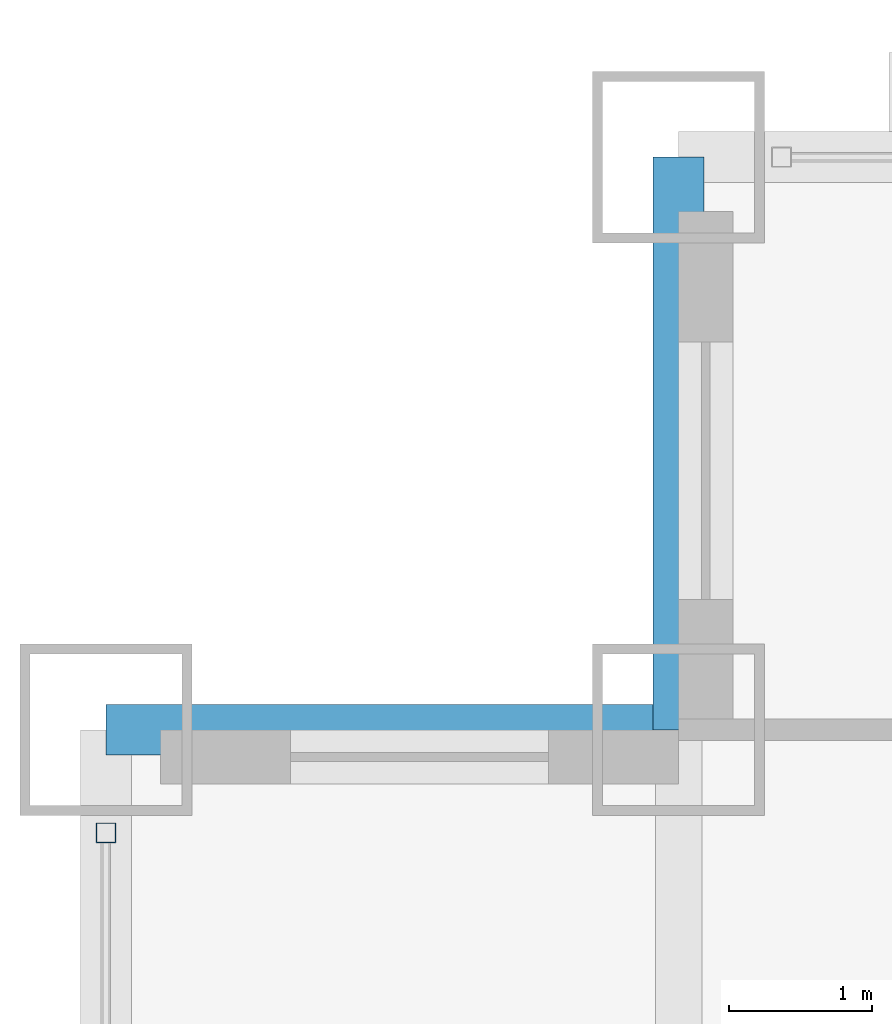
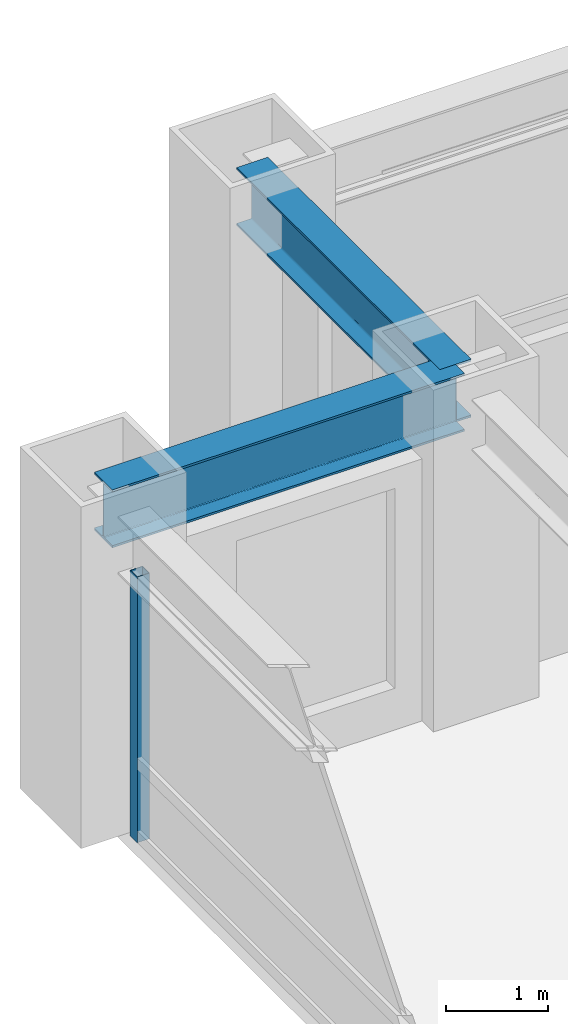
# One storey, part 10 of 32: 2 beams, 1 member, 1 element without a shape of its own.
"""IFC4 building model written with IfcOpenShell, lengths in metres."""

from ifc_helpers import new_model, si_unit, direction, frame, origin, origin_2d, place, context, subcontext, project, spatial, hollow_rectangle, i_section, extrude, source, transform, mapped, material, material_profile, profile_set, type_object, element, aggregate, save


model = new_model("IFC4")

# Units and contexts
model_context = context("Model", 3, precision=1e-05, world=origin(), true_north=direction((0.0, 1.0)))
body_context = subcontext(model_context, "Body", "Model", "MODEL_VIEW")
ifc_project = project(units=[si_unit("LENGTHUNIT", "METRE"), si_unit("AREAUNIT", "SQUARE_METRE"), si_unit("VOLUMEUNIT", "CUBIC_METRE"), si_unit("PLANEANGLEUNIT", "RADIAN"), si_unit("MASSUNIT", "GRAM", prefix="KILO")], contexts=[model_context])

# Site, building, storey
site_placement = place(None, origin())
site = spatial("IfcSite", under=ifc_project, at=site_placement, CompositionType="ELEMENT")
building_placement = place(site_placement, origin())
building = spatial("IfcBuilding", under=site, at=building_placement, Name="Khorayat Bourse Tower", CompositionType="ELEMENT")
storey_placement = place(building_placement, frame((0.0, 0.0, 91.39990234375)))
storey = spatial("IfcBuildingStorey", under=building, at=storey_placement, Name="L20", CompositionType="ELEMENT", Elevation=91.39990234375)

# Beams
ifc_material_1 = material(Name="Steel ASTM A992 Grade 50", Category="steel")
ifc_material_profile_1 = material_profile(ifc_material_1, i_section(OverallWidth=0.35498046875, OverallDepth=0.695068359375, WebThickness=0.015380859375, FlangeThickness=0.02490234375, FilletRadius=0.01806640625, at=origin_2d()), Name="W690X217")
ifc_profile_set_1 = profile_set([ifc_material_profile_1], Name="Steel ASTM A992 Grade 50")
beam_type = type_object("IfcBeamType", Name="BM-SPAN-690", PredefinedType="SPANDREL", material=ifc_profile_set_1)
shared_shape_1 = source(origin(), body_context, "Body", "SweptSolid", [
    extrude(i_section(OverallWidth=0.35498046875, OverallDepth=0.695068359375, WebThickness=0.015380859375, FlangeThickness=0.02490234375, FilletRadius=0.01806640625, at=origin_2d()), origin(), (0.0, 0.0, 1.0), 4.0),
])
for number, where, z_axis, x_axis, name in (
    (1, (-28.0, 28.0, 3.49267578125), (0.0, 1.0, 0.0), (-1.0, 0.0, 0.0), "L20 BM-SPAN-690 BM-L20-SPN-052"),
    (2, (-32.0, 28.0, 3.49267578125), (1.0, 0.0, 0.0), (0.0, 1.0, 0.0), "L20 BM-SPAN-690 BM-L20-SPN-053"),
):
    element("IfcBeam", number, at=place(storey_placement, frame(where, z_axis=z_axis, x_axis=x_axis)), inside=storey, type_object=beam_type, Name=name, PredefinedType="SPANDREL", context=body_context, shape_type="MappedRepresentation", body=[
        mapped(shared_shape_1, transform((0.0, 0.0, 0.0), scale=1.0)),
    ])

# Curtain wall, member
ifc_material_2 = material(Name="Aluminium EN AW-6063 T6", Category="aluminium")
curtain_wall_type = type_object("IfcCurtainWallType", Name="CW-SYS-02", PredefinedType="NOTDEFINED", material=ifc_material_2)
curtain_wall_placement = place(storey_placement, origin())
curtain_wall = element("IfcCurtainWall", 3, at=curtain_wall_placement, inside=storey, type_object=curtain_wall_type, Name="L20 Curtain Wall CW-L20-W1", PredefinedType="NOTDEFINED")
ifc_material_profile_2 = material_profile(ifc_material_2, hollow_rectangle(XDim=0.139892578125, YDim=0.139892578125, WallThickness=0.006103515625, at=origin_2d()), Name="ALU 140x140x6")
ifc_profile_set_2 = profile_set([ifc_material_profile_2], Name="Aluminium EN AW-6063 T6")
member_type = type_object("IfcMemberType", Name="CWM-VERT-140", PredefinedType="MULLION", material=ifc_profile_set_2)
shared_shape_2 = source(origin(), body_context, "Body", "SweptSolid", [
    extrude(hollow_rectangle(XDim=0.139892578125, YDim=0.139892578125, WallThickness=0.006103515625, at=origin_2d()), origin(), (0.0, 0.0, 1.0), 3.190185546875),
])
member_placement = place(storey_placement, frame((-32.0, 27.280029296875, 0.0), z_axis=(0.0, 0.0, 1.0), x_axis=(-1.0, 0.0, 0.0)))
member = element("IfcMember", 4, at=member_placement, type_object=member_type, Name="CW-L20-W1 Vertical Mullion 3", PredefinedType="MULLION", context=body_context, shape_type="MappedRepresentation", body=[
    mapped(shared_shape_2, transform((0.0, 0.0, 0.0), scale=1.0)),
])
aggregate(curtain_wall, [member])

save(model, "model.ifc")
